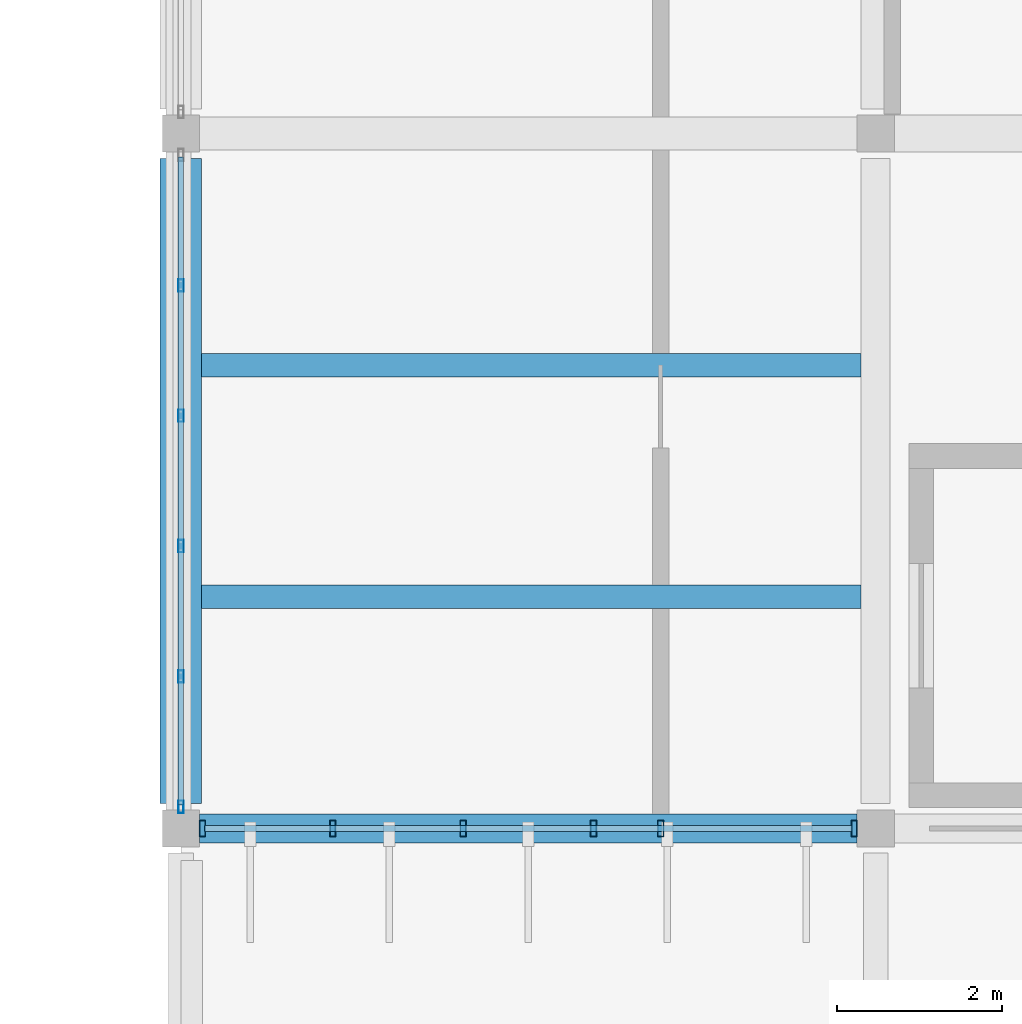
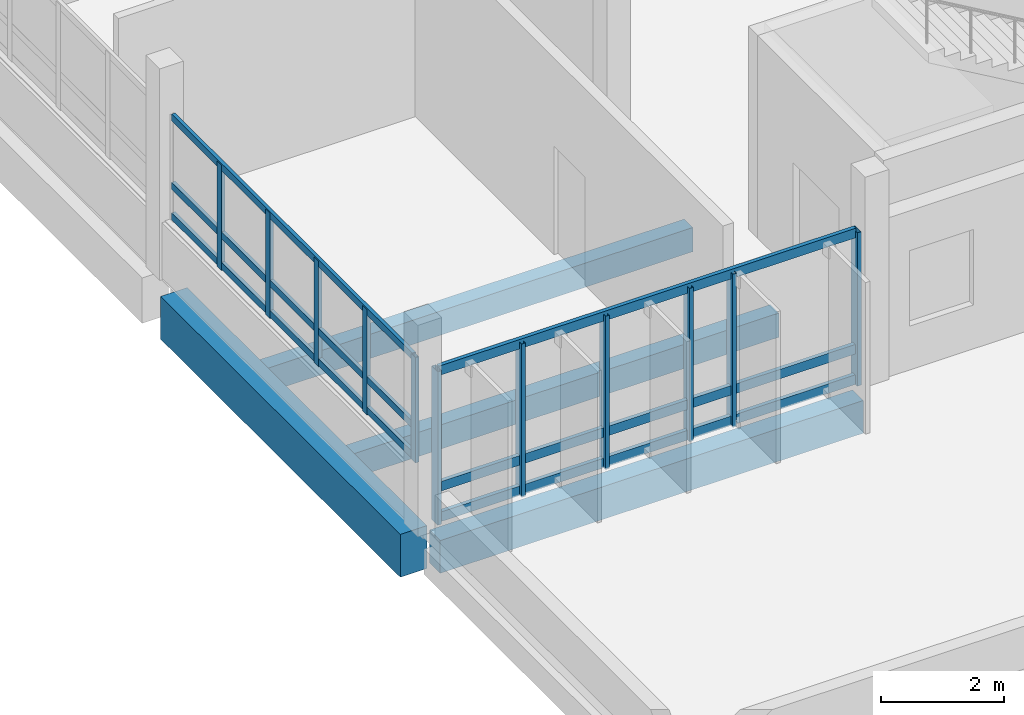
# One storey, part 11 of 62: 17 members, 4 beams, 2 elements without a shape of their own.
"""IFC4 building model written with IfcOpenShell, lengths in metres."""

from ifc_helpers import new_model, si_unit, direction, frame, origin, origin_2d, place, context, subcontext, project, spatial, rectangle, hollow_rectangle, extrude, material, layer, layer_set, material_profile, profile_set, type_object, element, aggregate, save


model = new_model("IFC4")

# Units and contexts
model_context = context("Model", 3, precision=1e-05, world=origin(), true_north=direction((0.0, 1.0)))
body_context = subcontext(model_context, "Body", "Model", "MODEL_VIEW")
ifc_project = project(units=[si_unit("LENGTHUNIT", "METRE"), si_unit("AREAUNIT", "SQUARE_METRE"), si_unit("VOLUMEUNIT", "CUBIC_METRE"), si_unit("PLANEANGLEUNIT", "RADIAN"), si_unit("MASSUNIT", "GRAM", prefix="KILO")], contexts=[model_context])

# Site, building, storey
site_placement = place(None, origin())
site = spatial("IfcSite", under=ifc_project, at=site_placement, CompositionType="ELEMENT")
building_placement = place(site_placement, origin())
building = spatial("IfcBuilding", under=site, at=building_placement, Name="Vireocrest Preparatory School", CompositionType="ELEMENT")
storey_placement = place(building_placement, frame((0.0, 0.0, 17.39990234375)))
storey = spatial("IfcBuildingStorey", under=building, at=storey_placement, Name="L04", CompositionType="ELEMENT", Elevation=17.39990234375)

# Curtain wall, members
ifc_material_1 = material(Name="Thermally broken aluminium EN AW-6063-T6", Category="aluminium")
ifc_layer_1 = layer(ifc_material_1, 0.179931640625)
ifc_layer_set_1 = layer_set([ifc_layer_1], Name="Thermally broken aluminium EN AW-6063-T6")
curtain_wall_type_1 = type_object("IfcCurtainWallType", Name="Court Banded Curtain Wall 8400x3000", PredefinedType="USERDEFINED", material=ifc_layer_set_1)
curtain_wall_1_placement = place(storey_placement, origin())
curtain_wall_1 = element("IfcCurtainWall", 1, at=curtain_wall_1_placement, inside=storey, type_object=curtain_wall_type_1, Name="Curtain Wall CW02 CW_L04_CW02_0924_0440_186", ObjectType="CURTAIN WALL", PredefinedType="USERDEFINED")
ifc_material_profile_1 = material_profile(ifc_material_1, hollow_rectangle(XDim=0.06494140625, YDim=0.14990234375, WallThickness=0.00390625, at=origin_2d()), Name="ALU 65x150x4")
ifc_profile_set_1 = profile_set([ifc_material_profile_1], Name="Thermally broken aluminium EN AW-6063-T6")
member_type_1 = type_object("IfcMemberType", Name="CW Mullion 65x150x4", PredefinedType="MULLION", material=ifc_profile_set_1)
member_1_placement = place(storey_placement, frame((92.39990234375, 44.06005859375, 1.150146484375), z_axis=(0.0, 0.0, 1.0), x_axis=(1.0, 0.0, 0.0)))
member_1 = element("IfcMember", 2, at=member_1_placement, type_object=member_type_1, Name="CW Mullion ML1 CW_L04_CW02_0924_0440_186-1", PredefinedType="MULLION", context=body_context, shape_type="SweptSolid", body=[
    extrude(hollow_rectangle(XDim=0.06494140625, YDim=0.14990234375, WallThickness=0.00390625, at=origin_2d()), origin(), (0.0, 0.0, 1.0), 2.094970703125),
])
member_2_placement = place(storey_placement, frame((92.39990234375, 45.635986328125, 1.150146484375), z_axis=(0.0, 0.0, 1.0), x_axis=(1.0, 0.0, 0.0)))
member_2 = element("IfcMember", 3, at=member_2_placement, type_object=member_type_1, Name="CW Mullion ML1 CW_L04_CW02_0924_0440_186-2", PredefinedType="MULLION", context=body_context, shape_type="SweptSolid", body=[
    extrude(hollow_rectangle(XDim=0.06494140625, YDim=0.14990234375, WallThickness=0.00390625, at=origin_2d()), origin(), (0.0, 0.0, 1.0), 2.094970703125),
])
member_3_placement = place(storey_placement, frame((92.39990234375, 47.2119140625, 1.150146484375), z_axis=(0.0, 0.0, 1.0), x_axis=(1.0, 0.0, 0.0)))
member_3 = element("IfcMember", 4, at=member_3_placement, type_object=member_type_1, Name="CW Mullion ML1 CW_L04_CW02_0924_0440_186-3", PredefinedType="MULLION", context=body_context, shape_type="SweptSolid", body=[
    extrude(hollow_rectangle(XDim=0.06494140625, YDim=0.14990234375, WallThickness=0.00390625, at=origin_2d()), origin(), (0.0, 0.0, 1.0), 2.094970703125),
])
member_4_placement = place(storey_placement, frame((92.39990234375, 48.7880859375, 1.150146484375), z_axis=(0.0, 0.0, 1.0), x_axis=(1.0, 0.0, 0.0)))
member_4 = element("IfcMember", 5, at=member_4_placement, type_object=member_type_1, Name="CW Mullion ML1 CW_L04_CW02_0924_0440_186-4", PredefinedType="MULLION", context=body_context, shape_type="SweptSolid", body=[
    extrude(hollow_rectangle(XDim=0.06494140625, YDim=0.14990234375, WallThickness=0.00390625, at=origin_2d()), origin(), (0.0, 0.0, 1.0), 2.094970703125),
])
member_5_placement = place(storey_placement, frame((92.39990234375, 50.364013671875, 1.150146484375), z_axis=(0.0, 0.0, 1.0), x_axis=(1.0, 0.0, 0.0)))
member_5 = element("IfcMember", 6, at=member_5_placement, type_object=member_type_1, Name="CW Mullion ML1 CW_L04_CW02_0924_0440_186-5", PredefinedType="MULLION", context=body_context, shape_type="SweptSolid", body=[
    extrude(hollow_rectangle(XDim=0.06494140625, YDim=0.14990234375, WallThickness=0.00390625, at=origin_2d()), origin(), (0.0, 0.0, 1.0), 2.094970703125),
])

ifc_layer_2 = layer(ifc_material_1, 0.179931640625)
ifc_layer_set_2 = layer_set([ifc_layer_2], Name="Thermally broken aluminium EN AW-6063-T6")
curtain_wall_type_2 = type_object("IfcCurtainWallType", Name="Side Facade Curtain Wall 9000x4200", PredefinedType="USERDEFINED", material=ifc_layer_set_2)
curtain_wall_2_placement = place(storey_placement, origin())
curtain_wall_2 = element("IfcCurtainWall", 7, at=curtain_wall_2_placement, inside=storey, type_object=curtain_wall_type_2, Name="Curtain Wall CW07 CW_L04_CW07_0926_0438_174", ObjectType="CURTAIN WALL", PredefinedType="USERDEFINED")
ifc_material_profile_2 = material_profile(ifc_material_1, hollow_rectangle(XDim=0.074951171875, YDim=0.199951171875, WallThickness=0.0048828125, at=origin_2d()), Name="ALU 75x200x5")
ifc_profile_set_2 = profile_set([ifc_material_profile_2], Name="Thermally broken aluminium EN AW-6063-T6")
member_type_2 = type_object("IfcMemberType", Name="CW Mullion 75x200x5", PredefinedType="MULLION", material=ifc_profile_set_2)
member_6_placement = place(storey_placement, frame((92.659912109375, 43.800048828125, 0.0), z_axis=(0.0, 0.0, 1.0), x_axis=(1.0, 0.0, 0.0)))
member_6 = element("IfcMember", 8, at=member_6_placement, type_object=member_type_2, Name="CW Mullion ML3 CW_L04_CW07_0926_0438_174-1", PredefinedType="MULLION", context=body_context, shape_type="SweptSolid", body=[
    extrude(hollow_rectangle(XDim=0.074951171875, YDim=0.199951171875, WallThickness=0.0048828125, at=origin_2d()), origin(), (0.0, 0.0, 1.0), 3.045166015625),
])
member_7_placement = place(storey_placement, frame((94.236083984375, 43.800048828125, 0.0), z_axis=(0.0, 0.0, 1.0), x_axis=(1.0, 0.0, 0.0)))
member_7 = element("IfcMember", 9, at=member_7_placement, type_object=member_type_2, Name="CW Mullion ML3 CW_L04_CW07_0926_0438_174-2", PredefinedType="MULLION", context=body_context, shape_type="SweptSolid", body=[
    extrude(hollow_rectangle(XDim=0.074951171875, YDim=0.199951171875, WallThickness=0.0048828125, at=origin_2d()), origin(), (0.0, 0.0, 1.0), 3.045166015625),
])
member_8_placement = place(storey_placement, frame((95.81201171875, 43.800048828125, 0.0), z_axis=(0.0, 0.0, 1.0), x_axis=(1.0, 0.0, 0.0)))
member_8 = element("IfcMember", 10, at=member_8_placement, type_object=member_type_2, Name="CW Mullion ML3 CW_L04_CW07_0926_0438_174-3", PredefinedType="MULLION", context=body_context, shape_type="SweptSolid", body=[
    extrude(hollow_rectangle(XDim=0.074951171875, YDim=0.199951171875, WallThickness=0.0048828125, at=origin_2d()), origin(), (0.0, 0.0, 1.0), 3.045166015625),
])
member_9_placement = place(storey_placement, frame((97.387939453125, 43.800048828125, 0.0), z_axis=(0.0, 0.0, 1.0), x_axis=(1.0, 0.0, 0.0)))
member_9 = element("IfcMember", 11, at=member_9_placement, type_object=member_type_2, Name="CW Mullion ML3 CW_L04_CW07_0926_0438_174-4", PredefinedType="MULLION", context=body_context, shape_type="SweptSolid", body=[
    extrude(hollow_rectangle(XDim=0.074951171875, YDim=0.199951171875, WallThickness=0.0048828125, at=origin_2d()), origin(), (0.0, 0.0, 1.0), 3.045166015625),
])
member_10_placement = place(storey_placement, frame((98.199951171875, 43.800048828125, 0.0), z_axis=(0.0, 0.0, 1.0), x_axis=(1.0, 0.0, 0.0)))
member_10 = element("IfcMember", 12, at=member_10_placement, type_object=member_type_2, Name="CW Mullion ML3 CW_L04_CW07_0926_0438_174-5", PredefinedType="MULLION", context=body_context, shape_type="SweptSolid", body=[
    extrude(hollow_rectangle(XDim=0.074951171875, YDim=0.199951171875, WallThickness=0.0048828125, at=origin_2d()), origin(), (0.0, 0.0, 1.0), 3.045166015625),
])
member_11_placement = place(storey_placement, frame((100.5400390625, 43.800048828125, 0.0), z_axis=(0.0, 0.0, 1.0), x_axis=(1.0, 0.0, 0.0)))
member_11 = element("IfcMember", 13, at=member_11_placement, type_object=member_type_2, Name="CW Mullion ML3 CW_L04_CW07_0926_0438_174-6", PredefinedType="MULLION", context=body_context, shape_type="SweptSolid", body=[
    extrude(hollow_rectangle(XDim=0.074951171875, YDim=0.199951171875, WallThickness=0.0048828125, at=origin_2d()), origin(), (0.0, 0.0, 1.0), 3.045166015625),
])

# Member
ifc_material_profile_3 = material_profile(ifc_material_1, hollow_rectangle(XDim=0.06494140625, YDim=0.139892578125, WallThickness=0.00390625, at=origin_2d()), Name="ALU 65x140x4")
ifc_profile_set_3 = profile_set([ifc_material_profile_3], Name="Thermally broken aluminium EN AW-6063-T6")
member_type_3 = type_object("IfcMemberType", Name="CW Transom 65x140x4", PredefinedType="USERDEFINED", material=ifc_profile_set_3)
member_12_placement = place(storey_placement, frame((92.39990234375, 44.0849609375, 1.2451171875), z_axis=(0.0, 1.0, 0.0), x_axis=(-1.0, 0.0, 0.0)))
member_12 = element("IfcMember", 14, at=member_12_placement, type_object=member_type_3, Name="CW Transom TR1 CW_L04_CW02_0924_0440_186-1", ObjectType="TRANSOM", PredefinedType="USERDEFINED", context=body_context, shape_type="SweptSolid", body=[
    extrude(hollow_rectangle(XDim=0.06494140625, YDim=0.139892578125, WallThickness=0.00390625, at=origin_2d()), origin(), (0.0, 0.0, 1.0), 7.830078125),
])

member_13_placement = place(storey_placement, frame((92.39990234375, 44.0849609375, 1.85009765625), z_axis=(0.0, 1.0, 0.0), x_axis=(-1.0, 0.0, 0.0)))
member_13 = element("IfcMember", 15, at=member_13_placement, type_object=member_type_3, Name="CW Transom TR1 CW_L04_CW02_0924_0440_186-2", ObjectType="TRANSOM", PredefinedType="USERDEFINED", context=body_context, shape_type="SweptSolid", body=[
    extrude(hollow_rectangle(XDim=0.06494140625, YDim=0.139892578125, WallThickness=0.00390625, at=origin_2d()), origin(), (0.0, 0.0, 1.0), 7.830078125),
])

member_14_placement = place(storey_placement, frame((92.39990234375, 44.0849609375, 3.205078125), z_axis=(0.0, 1.0, 0.0), x_axis=(-1.0, 0.0, 0.0)))
member_14 = element("IfcMember", 16, at=member_14_placement, type_object=member_type_3, Name="CW Transom TR1 CW_L04_CW02_0924_0440_186-3", ObjectType="TRANSOM", PredefinedType="USERDEFINED", context=body_context, shape_type="SweptSolid", body=[
    extrude(hollow_rectangle(XDim=0.06494140625, YDim=0.139892578125, WallThickness=0.00390625, at=origin_2d()), origin(), (0.0, 0.0, 1.0), 7.830078125),
])

aggregate(curtain_wall_1, [member_1, member_2, member_3, member_4, member_5, member_12, member_13, member_14])

ifc_material_profile_4 = material_profile(ifc_material_1, hollow_rectangle(XDim=0.074951171875, YDim=0.18994140625, WallThickness=0.00390625, at=origin_2d()), Name="ALU 75x190x4")
ifc_profile_set_4 = profile_set([ifc_material_profile_4], Name="Thermally broken aluminium EN AW-6063-T6")
member_type_4 = type_object("IfcMemberType", Name="CW Transom 75x190x4", PredefinedType="USERDEFINED", material=ifc_profile_set_4)
member_15_placement = place(storey_placement, frame((92.68505859375, 43.800048828125, 0.09521484375), z_axis=(1.0, 0.0, 0.0), x_axis=(0.0, 1.0, 0.0)))
member_15 = element("IfcMember", 17, at=member_15_placement, type_object=member_type_4, Name="CW Transom TR3 CW_L04_CW07_0926_0438_174-1", ObjectType="TRANSOM", PredefinedType="USERDEFINED", context=body_context, shape_type="SweptSolid", body=[
    extrude(hollow_rectangle(XDim=0.074951171875, YDim=0.18994140625, WallThickness=0.00390625, at=origin_2d()), origin(), (0.0, 0.0, 1.0), 7.829833984375),
])

member_16_placement = place(storey_placement, frame((92.68505859375, 43.800048828125, 0.7001953125), z_axis=(1.0, 0.0, 0.0), x_axis=(0.0, 1.0, 0.0)))
member_16 = element("IfcMember", 18, at=member_16_placement, type_object=member_type_4, Name="CW Transom TR3 CW_L04_CW07_0926_0438_174-2", ObjectType="TRANSOM", PredefinedType="USERDEFINED", context=body_context, shape_type="SweptSolid", body=[
    extrude(hollow_rectangle(XDim=0.074951171875, YDim=0.18994140625, WallThickness=0.00390625, at=origin_2d()), origin(), (0.0, 0.0, 1.0), 7.829833984375),
])

member_17_placement = place(storey_placement, frame((92.68505859375, 43.800048828125, 3.005126953125), z_axis=(1.0, 0.0, 0.0), x_axis=(0.0, 1.0, 0.0)))
member_17 = element("IfcMember", 19, at=member_17_placement, type_object=member_type_4, Name="CW Transom TR3 CW_L04_CW07_0926_0438_174-3", ObjectType="TRANSOM", PredefinedType="USERDEFINED", context=body_context, shape_type="SweptSolid", body=[
    extrude(hollow_rectangle(XDim=0.074951171875, YDim=0.18994140625, WallThickness=0.00390625, at=origin_2d()), origin(), (0.0, 0.0, 1.0), 7.829833984375),
])

aggregate(curtain_wall_2, [member_6, member_7, member_8, member_9, member_10, member_11, member_15, member_16, member_17])

# Beams
ifc_material_2 = material(Name="Concrete 40 MPa", Category="concrete")
ifc_material_profile_5 = material_profile(ifc_material_2, rectangle(XDim=0.35009765625, YDim=0.64990234375, at=origin_2d()), Name="RC 350x650")
ifc_profile_set_5 = profile_set([ifc_material_profile_5], Name="Concrete 40 MPa")
beam_type_1 = type_object("IfcBeamType", Name="RC Classroom Girder 350x650", PredefinedType="BEAM", material=ifc_profile_set_5)
beam_1_placement = place(storey_placement, frame((92.625, 43.800048828125, -0.5849609375), z_axis=(1.0, 0.0, 0.0), x_axis=(0.0, 1.0, 0.0)))
element("IfcBeam", 20, at=beam_1_placement, inside=storey, type_object=beam_type_1, Name="Primary Girder B05 L04-1299", PredefinedType="BEAM", context=body_context, shape_type="SweptSolid", body=[
    extrude(rectangle(XDim=0.35009765625, YDim=0.64990234375, at=origin_2d()), origin(), (0.0, 0.0, 1.0), 7.949951171875),
])
ifc_material_profile_6 = material_profile(ifc_material_2, rectangle(XDim=0.5, YDim=0.85009765625, at=origin_2d()), Name="RC 500x850")
ifc_profile_set_6 = profile_set([ifc_material_profile_6], Name="Concrete 40 MPa")
beam_type_2 = type_object("IfcBeamType", Name="RC Podium Girder 500x850", PredefinedType="BEAM", material=ifc_profile_set_6)
beam_2_placement = place(storey_placement, frame((92.39990234375, 44.10009765625, -0.684814453125), z_axis=(0.0, 1.0, 0.0), x_axis=(-1.0, 0.0, 0.0)))
element("IfcBeam", 21, at=beam_2_placement, inside=storey, type_object=beam_type_2, Name="Primary Girder B14 L04-1393", PredefinedType="BEAM", context=body_context, shape_type="SweptSolid", body=[
    extrude(rectangle(XDim=0.5, YDim=0.85009765625, at=origin_2d()), origin(), (0.0, 0.0, 1.0), 7.7998046875),
])
ifc_material_profile_7 = material_profile(ifc_material_2, rectangle(XDim=0.280029296875, YDim=0.47998046875, at=origin_2d()), Name="RC 280x480")
ifc_profile_set_7 = profile_set([ifc_material_profile_7], Name="Concrete 40 MPa")
beam_type_3 = type_object("IfcBeamType", Name="RC Secondary Lab Joist 280x480", PredefinedType="JOIST", material=ifc_profile_set_7)
for number, where, z_axis, x_axis, name in (
    (22, (92.64990234375, 46.60009765625, -0.5), (1.0, 0.0, 0.0), (0.0, 1.0, 0.0), "Secondary Joist J02 L04-1483"),
    (23, (92.64990234375, 49.39990234375, -0.5), (1.0, 0.0, 0.0), (0.0, 1.0, 0.0), "Secondary Joist J02 L04-1484"),
):
    element("IfcBeam", number, at=place(storey_placement, frame(where, z_axis=z_axis, x_axis=x_axis)), inside=storey, type_object=beam_type_3, Name=name, PredefinedType="JOIST", context=body_context, shape_type="SweptSolid", body=[
        extrude(rectangle(XDim=0.280029296875, YDim=0.47998046875, at=origin_2d()), origin(), (0.0, 0.0, 1.0), 7.97509765625),
    ])

save(model, "model.ifc")
